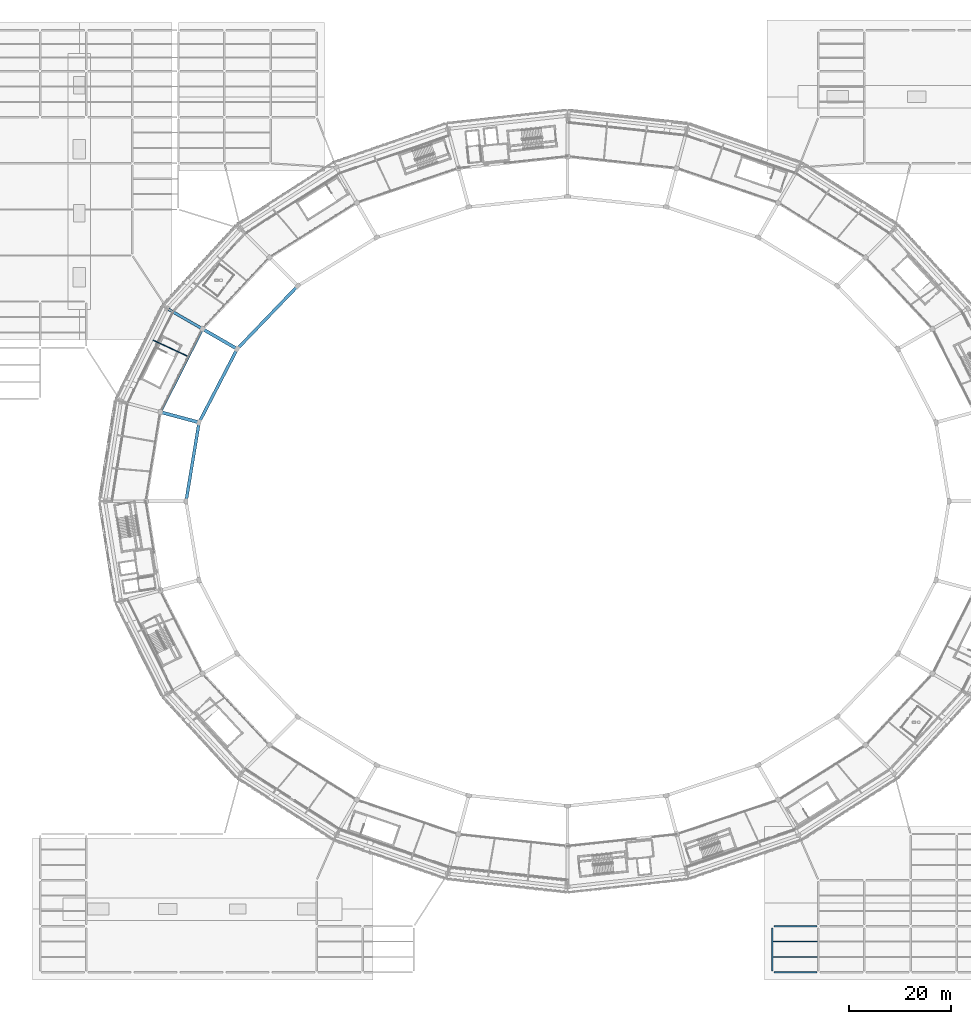
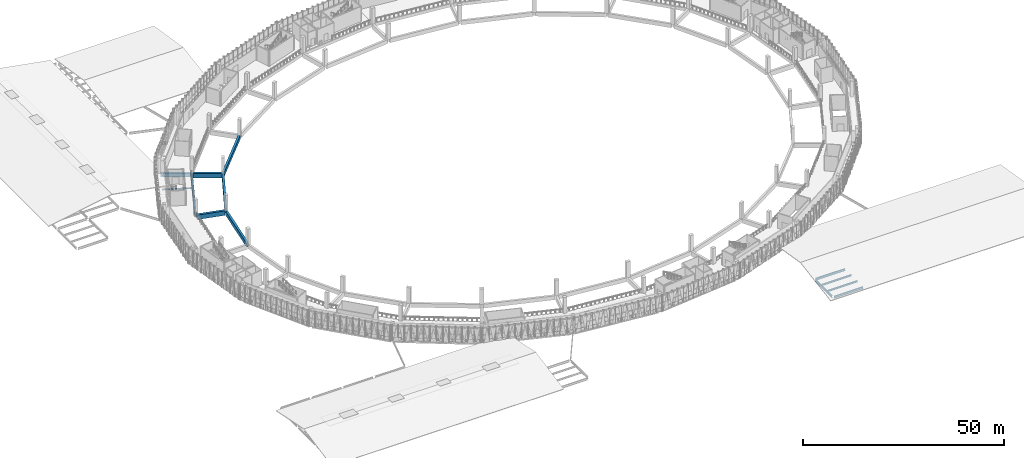
# One storey, part 18 of 108: 13 beams.
"""IFC4 building model written with IfcOpenShell, lengths in metres."""

from ifc_helpers import new_model, si_unit, direction, frame, origin, origin_2d, place, context, subcontext, project, spatial, rectangle, i_section, extrude, material, material_profile, profile_set, type_object, element, save


model = new_model("IFC4")

# Units and contexts
model_context = context("Model", 3, precision=1e-05, world=origin(), true_north=direction((0.0, 1.0)))
body_context = subcontext(model_context, "Body", "Model", "MODEL_VIEW")
ifc_project = project(units=[si_unit("LENGTHUNIT", "METRE"), si_unit("AREAUNIT", "SQUARE_METRE"), si_unit("VOLUMEUNIT", "CUBIC_METRE"), si_unit("PLANEANGLEUNIT", "RADIAN"), si_unit("MASSUNIT", "GRAM", prefix="KILO")], contexts=[model_context])

# Site, building, storey
site_placement = place(None, origin())
site = spatial("IfcSite", under=ifc_project, at=site_placement, CompositionType="ELEMENT")
building_placement = place(site_placement, origin())
building = spatial("IfcBuilding", under=site, at=building_placement, Name="Zevraka Park Crest Stadium", CompositionType="ELEMENT")
storey_placement = place(building_placement, frame((0.0, 0.0, 19.800048828125)))
storey = spatial("IfcBuildingStorey", under=building, at=storey_placement, Name="L04", CompositionType="ELEMENT", Elevation=19.800048828125)

# Beams
ifc_material_1 = material(Name="Concrete C40/50", Category="concrete")
ifc_material_profile_1 = material_profile(ifc_material_1, rectangle(XDim=0.64990234375, YDim=1.35009765625, at=origin_2d()), Name="RC 1350x650")
ifc_profile_set_1 = profile_set([ifc_material_profile_1], Name="Concrete C40/50")
beam_type_1 = type_object("IfcBeamType", Name="BG01", PredefinedType="BEAM", material=ifc_profile_set_1)
beam_1_placement = place(storey_placement, frame((47.220947265625, 121.89990234375, -0.68505859375), z_axis=(-0.866001485781, 0.500041424909, 0.0), x_axis=(-0.500041424909, -0.866001485781, 0.0)))
element("IfcBeam", 1, at=beam_1_placement, inside=storey, type_object=beam_type_1, Name="Radial Girder BG01 L04-BC-10", PredefinedType="BEAM", context=body_context, shape_type="SweptSolid", body=[
    extrude(rectangle(XDim=0.64990234375, YDim=1.35009765625, at=origin_2d()), origin(), (0.0, 0.0, 1.0), 7.19970703125),
])
beam_2_placement = place(storey_placement, frame((39.7490234375, 107.47802734375, -0.68505859375), z_axis=(-0.965945630245, 0.258745124417, 0.0), x_axis=(-0.258745124417, -0.965945630245, 0.0)))
element("IfcBeam", 2, at=beam_2_placement, inside=storey, type_object=beam_type_1, Name="Radial Girder BG01 L04-BC-11", PredefinedType="BEAM", context=body_context, shape_type="SweptSolid", body=[
    extrude(rectangle(XDim=0.64990234375, YDim=1.35009765625, at=origin_2d()), origin(), (0.0, 0.0, 1.0), 7.2001953125),
])
ifc_material_2 = material(Name="Concrete C40/50", Category="concrete")
ifc_material_profile_2 = material_profile(ifc_material_2, rectangle(XDim=0.550048828125, YDim=1.10009765625, at=origin_2d()), Name="RC 1100x550")
ifc_profile_set_2 = profile_set([ifc_material_profile_2], Name="Concrete C40/50")
beam_type_2 = type_object("IfcBeamType", Name="BG02", PredefinedType="BEAM", material=ifc_profile_set_2)
beam_3_placement = place(storey_placement, frame((40.466064453125, 125.800048828125, -0.56005859375), z_axis=(-0.86600700885, 0.500031859608, 0.0), x_axis=(-0.500031859608, -0.86600700885, 0.0)))
element("IfcBeam", 3, at=beam_3_placement, inside=storey, type_object=beam_type_2, Name="Radial Girder BG02 L04-CD-10", PredefinedType="BEAM", context=body_context, shape_type="SweptSolid", body=[
    extrude(rectangle(XDim=0.550048828125, YDim=1.10009765625, at=origin_2d()), origin(), (0.0, 0.0, 1.0), 7.3994140625),
])
ifc_material_3 = material(Name="Steel S355", Category="steel")
ifc_material_profile_3 = material_profile(ifc_material_3, i_section(OverallWidth=0.253662109375, OverallDepth=0.68359375, WebThickness=0.012451171875, FlangeThickness=0.01904296875, at=origin_2d()), Name="UKB 686x254x140")
ifc_profile_set_3 = profile_set([ifc_material_profile_3], Name="Steel S355")
beam_type_3 = type_object("IfcBeamType", Name="BG05", PredefinedType="BEAM", material=ifc_profile_set_3)
for number, where, z_axis, x_axis, name in (
    (4, (152.300048828125, 0.0, -0.60986328125), (1.0, 0.0, 0.0), (0.0, 1.0, 0.0), "Wing Girder BG05 L04-1718/A"),
    (5, (152.300048828125, 9.0, -0.60986328125), (1.0, 0.0, 0.0), (0.0, 1.0, 0.0), "Wing Girder BG05 L04-1718/B"),
):
    element("IfcBeam", number, at=place(storey_placement, frame(where, z_axis=z_axis, x_axis=x_axis)), inside=storey, type_object=beam_type_3, Name=name, PredefinedType="BEAM", context=body_context, shape_type="SweptSolid", body=[
        extrude(i_section(OverallWidth=0.253662109375, OverallDepth=0.68359375, WebThickness=0.012451171875, FlangeThickness=0.01904296875, at=origin_2d()), origin(), (0.0, 0.0, 1.0), 8.39990234375),
    ])
ifc_material_4 = material(Name="Steel S355", Category="steel")
ifc_material_profile_4 = material_profile(ifc_material_4, i_section(OverallWidth=0.300048828125, OverallDepth=0.64990234375, WebThickness=0.01611328125, FlangeThickness=0.031005859375, at=origin_2d()), Name="HEB 650")
ifc_profile_set_4 = profile_set([ifc_material_profile_4], Name="Steel S355")
beam_type_4 = type_object("IfcBeamType", Name="BG07", PredefinedType="BEAM", material=ifc_profile_set_4)
beam_4_placement = place(storey_placement, frame((152.0, 0.300048828125, -0.593017578125), z_axis=(0.0, 1.0, 0.0), x_axis=(-1.0, 0.0, 0.0)))
element("IfcBeam", 6, at=beam_4_placement, inside=storey, type_object=beam_type_4, Name="Wing Girder BG07 L04-17/AB", PredefinedType="BEAM", context=body_context, shape_type="SweptSolid", body=[
    extrude(i_section(OverallWidth=0.300048828125, OverallDepth=0.64990234375, WebThickness=0.01611328125, FlangeThickness=0.031005859375, at=origin_2d()), origin(), (0.0, 0.0, 1.0), 8.39990234375),
])
ifc_material_5 = material(Name="Concrete C40/50", Category="concrete")
ifc_material_profile_5 = material_profile(ifc_material_5, rectangle(XDim=0.60009765625, YDim=1.199951171875, at=origin_2d()), Name="RC 1200x600")
ifc_profile_set_5 = profile_set([ifc_material_profile_5], Name="Concrete C40/50")
beam_type_5 = type_object("IfcBeamType", Name="RB01", PredefinedType="BEAM", material=ifc_profile_set_5)
beam_5_placement = place(storey_placement, frame((59.05810546875, 133.799072265625, -0.610107421875), z_axis=(-0.692852617328, -0.721079226342, 0.0), x_axis=(0.721079226342, -0.692852617328, 0.0)))
element("IfcBeam", 7, at=beam_5_placement, inside=storey, type_object=beam_type_5, Name="Ring Beam RB01 L04-B-09", PredefinedType="BEAM", context=body_context, shape_type="SweptSolid", body=[
    extrude(rectangle(XDim=0.60009765625, YDim=1.199951171875, at=origin_2d()), origin(), (0.0, 0.0, 1.0), 16.329833984375),
])
beam_6_placement = place(storey_placement, frame((47.305908203125, 121.4130859375, -0.610107421875), z_axis=(-0.460343993973, -0.887740619333, 0.0), x_axis=(0.887740619333, -0.460343993973, 0.0)))
element("IfcBeam", 8, at=beam_6_placement, inside=storey, type_object=beam_type_5, Name="Ring Beam RB01 L04-B-10", PredefinedType="BEAM", context=body_context, shape_type="SweptSolid", body=[
    extrude(rectangle(XDim=0.60009765625, YDim=1.199951171875, at=origin_2d()), origin(), (0.0, 0.0, 1.0), 15.405517578125),
])
beam_7_placement = place(storey_placement, frame((39.97705078125, 107.02490234375, -0.610107421875), z_axis=(-0.162654875862, -0.986683024764, 0.0), x_axis=(0.986683024764, -0.162654875862, 0.0)))
element("IfcBeam", 9, at=beam_7_placement, inside=storey, type_object=beam_type_5, Name="Ring Beam RB01 L04-B-11", PredefinedType="BEAM", context=body_context, shape_type="SweptSolid", body=[
    extrude(rectangle(XDim=0.60009765625, YDim=1.199951171875, at=origin_2d()), origin(), (0.0, 0.0, 1.0), 14.84765625),
])
ifc_material_6 = material(Name="Concrete C40/50", Category="concrete")
ifc_material_profile_6 = material_profile(ifc_material_6, rectangle(XDim=0.5, YDim=0.949951171875, at=origin_2d()), Name="RC 950x500")
ifc_profile_set_6 = profile_set([ifc_material_profile_6], Name="Concrete C40/50")
beam_type_6 = type_object("IfcBeamType", Name="RB02", PredefinedType="BEAM", material=ifc_profile_set_6)
beam_8_placement = place(storey_placement, frame((40.553955078125, 125.31103515625, -0.485107421875), z_axis=(-0.451862275442, -0.892087710953, 0.0), x_axis=(0.892087710953, -0.451862275442, 0.0)))
element("IfcBeam", 10, at=beam_8_placement, inside=storey, type_object=beam_type_6, Name="Ring Beam RB02 L04-C-10", PredefinedType="BEAM", context=body_context, shape_type="SweptSolid", body=[
    extrude(rectangle(XDim=0.5, YDim=0.949951171875, at=origin_2d()), origin(), (0.0, 0.0, 1.0), 17.434326171875),
])
ifc_material_7 = material(Name="Steel S355", Category="steel")
ifc_material_profile_7 = material_profile(ifc_material_7, i_section(OverallWidth=0.209228515625, OverallDepth=0.533203125, WebThickness=0.010009765625, FlangeThickness=0.015625, at=origin_2d()), Name="UKB 533x210x92")
ifc_profile_set_7 = profile_set([ifc_material_profile_7], Name="Steel S355")
beam_type_7 = type_object("IfcBeamType", Name="SJ05", PredefinedType="JOIST", material=ifc_profile_set_7)
for number, where, z_axis, x_axis, name in (
    (11, (152.14501953125, 3.0, -0.53662109375), (1.0, 0.0, 0.0), (0.0, 1.0, 0.0), "Wing Joist SJ05 L04-17/A-1"),
    (12, (152.14501953125, 6.0, -0.53662109375), (1.0, 0.0, 0.0), (0.0, 1.0, 0.0), "Wing Joist SJ05 L04-17/A-2"),
):
    element("IfcBeam", number, at=place(storey_placement, frame(where, z_axis=z_axis, x_axis=x_axis)), inside=storey, type_object=beam_type_7, Name=name, PredefinedType="JOIST", context=body_context, shape_type="SweptSolid", body=[
        extrude(i_section(OverallWidth=0.209228515625, OverallDepth=0.533203125, WebThickness=0.010009765625, FlangeThickness=0.015625, at=origin_2d()), origin(), (0.0, 0.0, 1.0), 8.7099609375),
    ])
ifc_material_8 = material(Name="Steel S355", Category="steel")
ifc_material_profile_8 = material_profile(ifc_material_8, i_section(OverallWidth=0.135009765625, OverallDepth=0.27001953125, WebThickness=0.006591796875, FlangeThickness=0.01025390625, at=origin_2d()), Name="IPE 270")
ifc_profile_set_8 = profile_set([ifc_material_profile_8], Name="Steel S355")
beam_type_8 = type_object("IfcBeamType", Name="SJ07", PredefinedType="JOIST", material=ifc_profile_set_8)
beam_9_placement = place(storey_placement, frame((37.762939453125, 120.343017578125, -0.403076171875), z_axis=(-0.906183982971, 0.42288365895, 0.0), x_axis=(-0.42288365895, -0.906183982971, 0.0)))
element("IfcBeam", 13, at=beam_9_placement, inside=storey, type_object=beam_type_8, Name="Floor Joist SJ07 L04-CD-10-1", PredefinedType="JOIST", context=body_context, shape_type="SweptSolid", body=[
    extrude(i_section(OverallWidth=0.135009765625, OverallDepth=0.27001953125, WebThickness=0.006591796875, FlangeThickness=0.01025390625, at=origin_2d()), origin(), (0.0, 0.0, 1.0), 7.39892578125),
])

save(model, "model.ifc")
